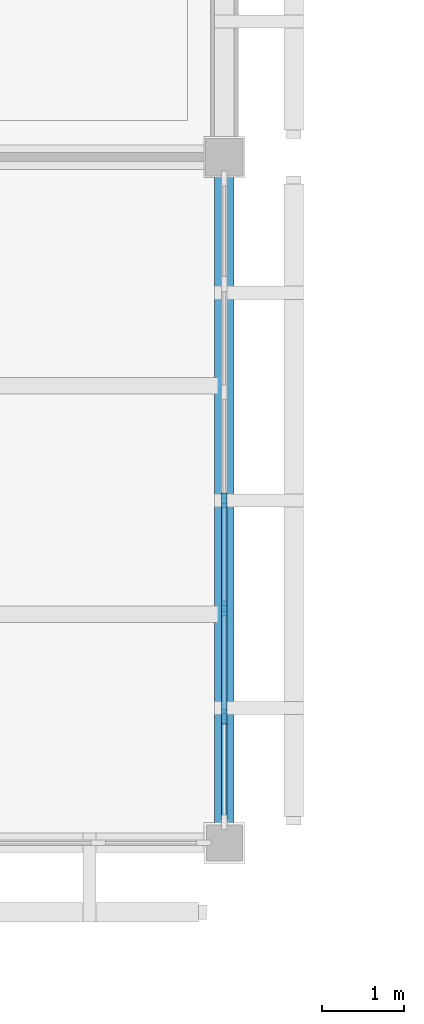
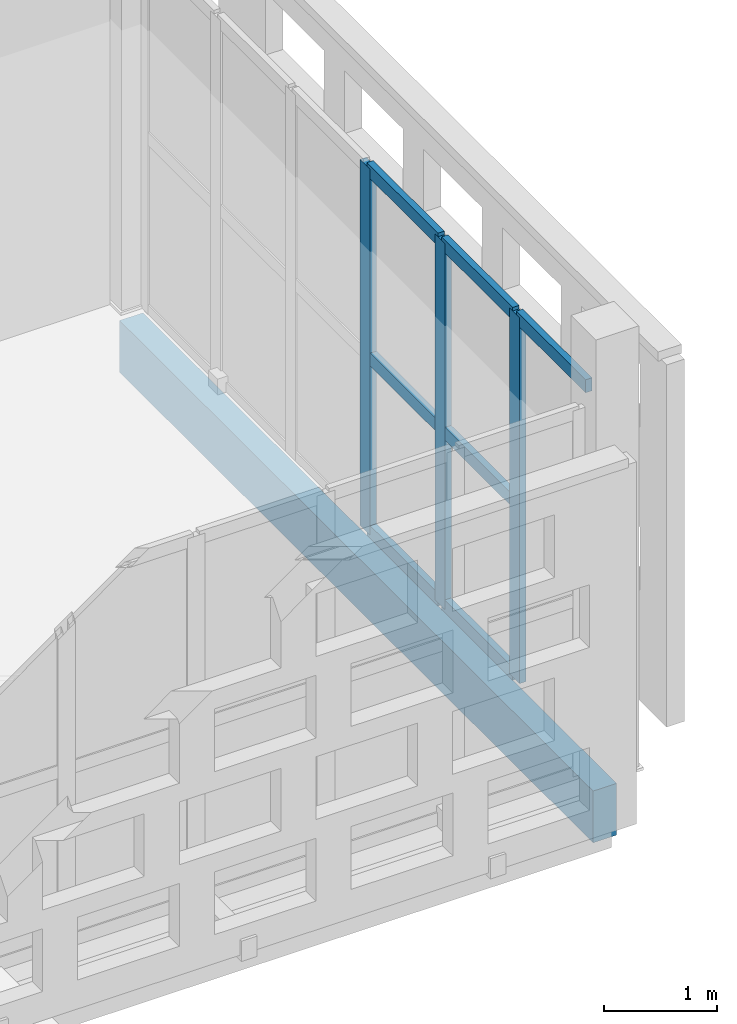
# One storey, part 77 of 203: 10 members, 1 beam, 1 element without a shape of its own.
"""IFC4 building model written with IfcOpenShell, lengths in metres."""

from ifc_helpers import new_model, si_unit, direction, frame, origin, origin_2d, place, context, subcontext, project, spatial, rectangle, extrude, material, layer, layer_set, material_profile, profile_set, type_object, element, aggregate, save


model = new_model("IFC4")

# Units and contexts
model_context = context("Model", 3, precision=1e-05, world=origin(), true_north=direction((0.0, 1.0)))
body_context = subcontext(model_context, "Body", "Model", "MODEL_VIEW")
ifc_project = project(units=[si_unit("LENGTHUNIT", "METRE"), si_unit("AREAUNIT", "SQUARE_METRE"), si_unit("VOLUMEUNIT", "CUBIC_METRE"), si_unit("PLANEANGLEUNIT", "RADIAN"), si_unit("MASSUNIT", "GRAM", prefix="KILO")], contexts=[model_context])

# Site, building, storey
site_placement = place(None, origin())
site = spatial("IfcSite", under=ifc_project, at=site_placement, CompositionType="ELEMENT")
building_placement = place(site_placement, origin())
building = spatial("IfcBuilding", under=site, at=building_placement, Name="Varnapada Polytechnic", CompositionType="ELEMENT")
storey_placement = place(building_placement, frame((0.0, 0.0, 4.800048828125)))
storey = spatial("IfcBuildingStorey", under=building, at=storey_placement, Name="L01", CompositionType="ELEMENT", Elevation=4.800048828125)

# Curtain wall, members
ifc_material_1 = material(Name="Double low-E laminated glass", Category="glass")
ifc_layer = layer(ifc_material_1, 0.179931640625)
ifc_layer_set = layer_set([ifc_layer], Name="Double low-E laminated glass")
curtain_wall_type = type_object("IfcCurtainWallType", Name="Curtain Wall CW-04", PredefinedType="NOTDEFINED", material=ifc_layer_set)
curtain_wall_placement = place(storey_placement, origin())
curtain_wall = element("IfcCurtainWall", 1, at=curtain_wall_placement, inside=storey, type_object=curtain_wall_type, Name="L01 unitised curtain wall CW-04 (122)", PredefinedType="NOTDEFINED")
ifc_material_2 = material(Name="Anodised aluminium", Category="aluminium")
ifc_material_profile_1 = material_profile(ifc_material_2, rectangle(XDim=0.06494140625, YDim=0.179931640625, at=origin_2d()), Name="ALU M65x180")
ifc_profile_set_1 = profile_set([ifc_material_profile_1], Name="Anodised aluminium")
member_type_1 = type_object("IfcMemberType", Name="Mullion M-02", PredefinedType="MULLION", material=ifc_profile_set_1)
member_1_placement = place(storey_placement, frame((176.39990234375, 62.9951171875, 0.0), z_axis=(0.0, 0.0, 1.0), x_axis=(1.0, 0.0, 0.0)))
member_1 = element("IfcMember", 2, at=member_1_placement, type_object=member_type_1, Name="CW-04 mullion 4", PredefinedType="MULLION", context=body_context, shape_type="SweptSolid", body=[
    extrude(rectangle(XDim=0.06494140625, YDim=0.179931640625, at=origin_2d()), origin(), (0.0, 0.0, 1.0), 3.9599609375),
])
member_2_placement = place(storey_placement, frame((176.39990234375, 61.669921875, 0.0), z_axis=(0.0, 0.0, 1.0), x_axis=(1.0, 0.0, 0.0)))
member_2 = element("IfcMember", 3, at=member_2_placement, type_object=member_type_1, Name="CW-04 mullion 5", PredefinedType="MULLION", context=body_context, shape_type="SweptSolid", body=[
    extrude(rectangle(XDim=0.06494140625, YDim=0.179931640625, at=origin_2d()), origin(), (0.0, 0.0, 1.0), 3.9599609375),
])
member_3_placement = place(storey_placement, frame((176.39990234375, 60.344970703125, 0.0), z_axis=(0.0, 0.0, 1.0), x_axis=(1.0, 0.0, 0.0)))
member_3 = element("IfcMember", 4, at=member_3_placement, type_object=member_type_1, Name="CW-04 mullion 6", PredefinedType="MULLION", context=body_context, shape_type="SweptSolid", body=[
    extrude(rectangle(XDim=0.06494140625, YDim=0.179931640625, at=origin_2d()), origin(), (0.0, 0.0, 1.0), 3.9599609375),
])

# Beam
ifc_material_3 = material(Name="Glulam GL32h", Category="wood")
ifc_material_profile_2 = material_profile(ifc_material_3, rectangle(XDim=0.239990234375, YDim=0.56005859375, at=origin_2d()), Name="GL 240x560")
ifc_profile_set_2 = profile_set([ifc_material_profile_2], Name="Glulam GL32h")
beam_type = type_object("IfcBeamType", Name="Perimeter glulam spandrel beam SP-02 (GL 240x560)", PredefinedType="SPANDREL", material=ifc_profile_set_2)
beam_placement = place(storey_placement, frame((176.39990234375, 58.800048828125, -0.530029296875), z_axis=(0.0, 1.0, 0.0), x_axis=(-1.0, 0.0, 0.0)))
element("IfcBeam", 5, at=beam_placement, inside=storey, type_object=beam_type, Name="L01 beam Y 8-9 at X22", PredefinedType="SPANDREL", context=body_context, shape_type="SweptSolid", body=[
    extrude(rectangle(XDim=0.239990234375, YDim=0.56005859375, at=origin_2d()), origin(), (0.0, 0.0, 1.0), 8.39990234375),
])

# Member
ifc_material_profile_3 = material_profile(ifc_material_2, rectangle(XDim=0.06494140625, YDim=0.139892578125, at=origin_2d()), Name="ALU T65x140")
ifc_profile_set_3 = profile_set([ifc_material_profile_3], Name="Anodised aluminium")
member_type_2 = type_object("IfcMemberType", Name="Transom T-02", PredefinedType="USERDEFINED", material=ifc_profile_set_3)
member_4_placement = place(storey_placement, frame((176.39990234375, 62.96240234375, 0.032470703125), z_axis=(0.0, -1.0, 0.0), x_axis=(1.0, 0.0, 0.0)))
member_4 = element("IfcMember", 6, at=member_4_placement, type_object=member_type_2, Name="CW-04 transom 4.1", ObjectType="TRANSOM", PredefinedType="USERDEFINED", context=body_context, shape_type="SweptSolid", body=[
    extrude(rectangle(XDim=0.06494140625, YDim=0.139892578125, at=origin_2d()), origin(), (0.0, 0.0, 1.0), 1.260009765625),
])

member_5_placement = place(storey_placement, frame((176.39990234375, 62.96240234375, 1.900634765625), z_axis=(0.0, -1.0, 0.0), x_axis=(1.0, 0.0, 0.0)))
member_5 = element("IfcMember", 7, at=member_5_placement, type_object=member_type_2, Name="CW-04 transom 4.2", ObjectType="TRANSOM", PredefinedType="USERDEFINED", context=body_context, shape_type="SweptSolid", body=[
    extrude(rectangle(XDim=0.06494140625, YDim=0.139892578125, at=origin_2d()), origin(), (0.0, 0.0, 1.0), 1.260009765625),
])

member_6_placement = place(storey_placement, frame((176.39990234375, 62.96240234375, 3.927490234375), z_axis=(0.0, -1.0, 0.0), x_axis=(1.0, 0.0, 0.0)))
member_6 = element("IfcMember", 8, at=member_6_placement, type_object=member_type_2, Name="CW-04 transom 4.3", ObjectType="TRANSOM", PredefinedType="USERDEFINED", context=body_context, shape_type="SweptSolid", body=[
    extrude(rectangle(XDim=0.06494140625, YDim=0.139892578125, at=origin_2d()), origin(), (0.0, 0.0, 1.0), 1.260009765625),
])

member_7_placement = place(storey_placement, frame((176.39990234375, 61.637451171875, 0.032470703125), z_axis=(0.0, -1.0, 0.0), x_axis=(1.0, 0.0, 0.0)))
member_7 = element("IfcMember", 9, at=member_7_placement, type_object=member_type_2, Name="CW-04 transom 5.1", ObjectType="TRANSOM", PredefinedType="USERDEFINED", context=body_context, shape_type="SweptSolid", body=[
    extrude(rectangle(XDim=0.06494140625, YDim=0.139892578125, at=origin_2d()), origin(), (0.0, 0.0, 1.0), 1.260009765625),
])

member_8_placement = place(storey_placement, frame((176.39990234375, 61.637451171875, 1.900634765625), z_axis=(0.0, -1.0, 0.0), x_axis=(1.0, 0.0, 0.0)))
member_8 = element("IfcMember", 10, at=member_8_placement, type_object=member_type_2, Name="CW-04 transom 5.2", ObjectType="TRANSOM", PredefinedType="USERDEFINED", context=body_context, shape_type="SweptSolid", body=[
    extrude(rectangle(XDim=0.06494140625, YDim=0.139892578125, at=origin_2d()), origin(), (0.0, 0.0, 1.0), 1.260009765625),
])

member_9_placement = place(storey_placement, frame((176.39990234375, 61.637451171875, 3.927490234375), z_axis=(0.0, -1.0, 0.0), x_axis=(1.0, 0.0, 0.0)))
member_9 = element("IfcMember", 11, at=member_9_placement, type_object=member_type_2, Name="CW-04 transom 5.3", ObjectType="TRANSOM", PredefinedType="USERDEFINED", context=body_context, shape_type="SweptSolid", body=[
    extrude(rectangle(XDim=0.06494140625, YDim=0.139892578125, at=origin_2d()), origin(), (0.0, 0.0, 1.0), 1.260009765625),
])

member_10_placement = place(storey_placement, frame((176.39990234375, 60.3125, 3.927490234375), z_axis=(0.0, -1.0, 0.0), x_axis=(1.0, 0.0, 0.0)))
member_10 = element("IfcMember", 12, at=member_10_placement, type_object=member_type_2, Name="CW-04 transom 6.3", ObjectType="TRANSOM", PredefinedType="USERDEFINED", context=body_context, shape_type="SweptSolid", body=[
    extrude(rectangle(XDim=0.06494140625, YDim=0.139892578125, at=origin_2d()), origin(), (0.0, 0.0, 1.0), 1.2275390625),
])

aggregate(curtain_wall, [member_1, member_2, member_3, member_4, member_5, member_6, member_7, member_8, member_9, member_10])

save(model, "model.ifc")
